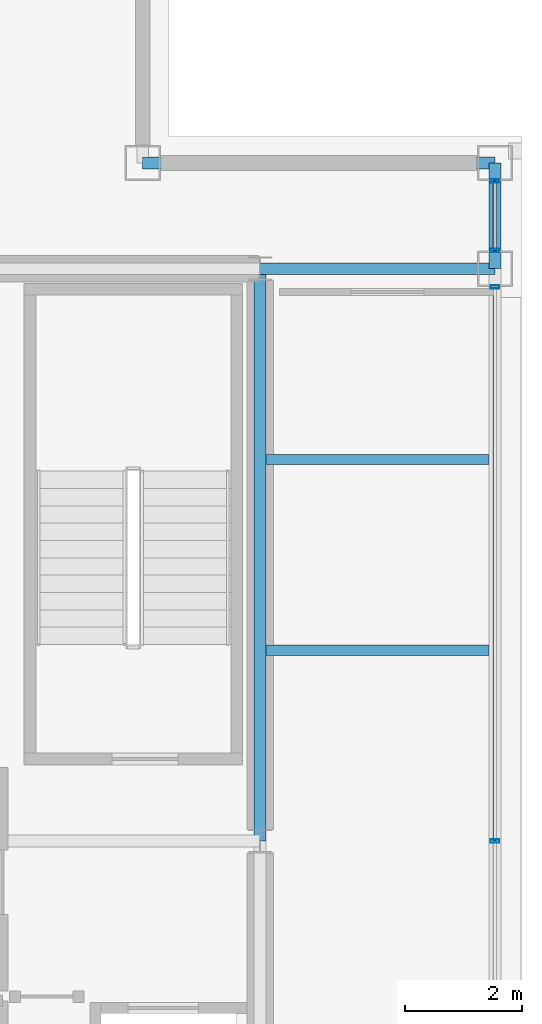
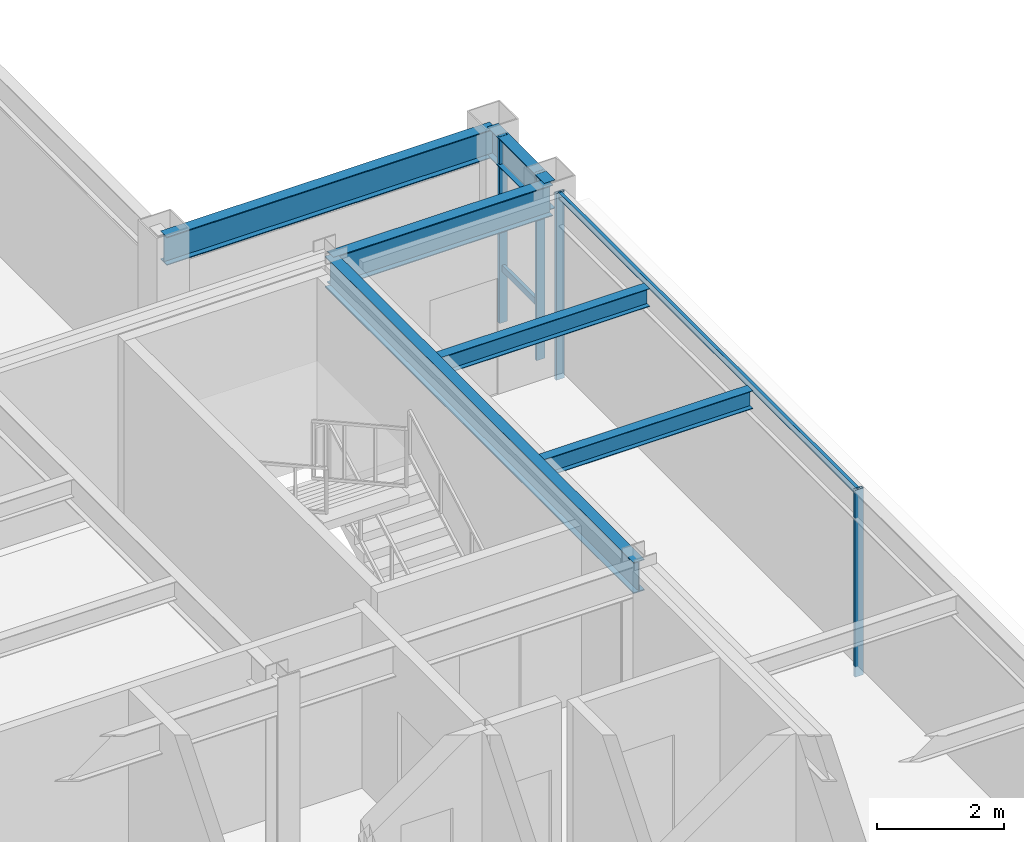
# One storey, part 15 of 24: 6 beams, 6 members, 2 elements without a shape of their own.
"""IFC4 building model written with IfcOpenShell, lengths in metres."""

from ifc_helpers import new_model, si_unit, direction, frame, origin, origin_2d, place, context, subcontext, project, spatial, hollow_rectangle, i_section, extrude, material, layer, layer_set, material_profile, profile_set, type_object, element, aggregate, save


model = new_model("IFC4")

# Units and contexts
model_context = context("Model", 3, precision=1e-05, world=origin(), true_north=direction((0.0, 1.0)))
body_context = subcontext(model_context, "Body", "Model", "MODEL_VIEW")
ifc_project = project(units=[si_unit("LENGTHUNIT", "METRE"), si_unit("AREAUNIT", "SQUARE_METRE"), si_unit("VOLUMEUNIT", "CUBIC_METRE"), si_unit("PLANEANGLEUNIT", "RADIAN"), si_unit("MASSUNIT", "GRAM", prefix="KILO")], contexts=[model_context])

# Site, building, storey
site_placement = place(None, origin())
site = spatial("IfcSite", under=ifc_project, at=site_placement, CompositionType="ELEMENT")
building_placement = place(site_placement, origin())
building = spatial("IfcBuilding", under=site, at=building_placement, Name="Brelmoor Portico Tower", CompositionType="ELEMENT")
storey_placement = place(building_placement, frame((0.0, 0.0, 261.60009765625)))
storey = spatial("IfcBuildingStorey", under=building, at=storey_placement, Name="L69", CompositionType="ELEMENT", Elevation=261.60009765625)

# Beams
ifc_material_1 = material(Name="Steel Q355B", Category="steel")
ifc_material_profile_1 = material_profile(ifc_material_1, i_section(OverallWidth=0.175048828125, OverallDepth=0.35009765625, WebThickness=0.007080078125, FlangeThickness=0.010986328125, at=origin_2d()), Name="HN 350x175x7x11")
ifc_profile_set_1 = profile_set([ifc_material_profile_1], Name="Steel Q355B")
beam_type_1 = type_object("IfcBeamType", Name="BM-JS-350", PredefinedType="JOIST", material=ifc_profile_set_1)
for number, where, z_axis, x_axis, name in (
    (1, (14.64990234375, 3.25, 3.224853515625), (1.0, 0.0, 0.0), (0.0, 1.0, 0.0), "L69 Secondary Wing Joist JS-E13"),
    (2, (14.64990234375, 6.5, 3.224853515625), (1.0, 0.0, 0.0), (0.0, 1.0, 0.0), "L69 Secondary Wing Joist JS-E14"),
):
    element("IfcBeam", number, at=place(storey_placement, frame(where, z_axis=z_axis, x_axis=x_axis)), inside=storey, type_object=beam_type_1, Name=name, PredefinedType="JOIST", context=body_context, shape_type="SweptSolid", body=[
        extrude(i_section(OverallWidth=0.175048828125, OverallDepth=0.35009765625, WebThickness=0.007080078125, FlangeThickness=0.010986328125, at=origin_2d()), origin(), (0.0, 0.0, 1.0), 3.800048828125),
    ])
ifc_material_profile_2 = material_profile(ifc_material_1, i_section(OverallWidth=0.199951171875, OverallDepth=0.60009765625, WebThickness=0.010986328125, FlangeThickness=0.01708984375, at=origin_2d()), Name="HN 600x200x11x17")
ifc_profile_set_2 = profile_set([ifc_material_profile_2], Name="Steel Q355B")
beam_type_2 = type_object("IfcBeamType", Name="BM-PG-600", PredefinedType="BEAM", material=ifc_profile_set_2)
beam_1_placement = place(storey_placement, frame((14.550048828125, 0.0, 3.099853515625), z_axis=(0.0, 1.0, 0.0), x_axis=(-1.0, 0.0, 0.0)))
element("IfcBeam", 3, at=beam_1_placement, inside=storey, type_object=beam_type_2, Name="L69 Primary Floor Girder PG-10", PredefinedType="BEAM", context=body_context, shape_type="SweptSolid", body=[
    extrude(i_section(OverallWidth=0.199951171875, OverallDepth=0.60009765625, WebThickness=0.010986328125, FlangeThickness=0.01708984375, at=origin_2d()), origin(), (0.0, 0.0, 1.0), 9.75),
])
beam_2_placement = place(storey_placement, frame((14.550048828125, 9.75, 3.099853515625), z_axis=(1.0, 0.0, 0.0), x_axis=(0.0, 1.0, 0.0)))
element("IfcBeam", 4, at=beam_2_placement, inside=storey, type_object=beam_type_2, Name="L69 Primary Floor Girder PG-23", PredefinedType="BEAM", context=body_context, shape_type="SweptSolid", body=[
    extrude(i_section(OverallWidth=0.199951171875, OverallDepth=0.60009765625, WebThickness=0.010986328125, FlangeThickness=0.01708984375, at=origin_2d()), origin(), (0.0, 0.0, 1.0), 4.0),
])
ifc_material_profile_3 = material_profile(ifc_material_1, i_section(OverallWidth=0.199951171875, OverallDepth=0.550048828125, WebThickness=0.010009765625, FlangeThickness=0.01611328125, at=origin_2d()), Name="HN 550x200x10x16")
ifc_profile_set_3 = profile_set([ifc_material_profile_3], Name="Steel Q355B")
beam_type_3 = type_object("IfcBeamType", Name="BM-SP-550", PredefinedType="SPANDREL", material=ifc_profile_set_3)
beam_3_placement = place(storey_placement, frame((12.550048828125, 11.550048828125, 3.125), z_axis=(1.0, 0.0, 0.0), x_axis=(0.0, 1.0, 0.0)))
element("IfcBeam", 5, at=beam_3_placement, inside=storey, type_object=beam_type_3, Name="L69 Perimeter Spandrel Beam SP-07", PredefinedType="SPANDREL", context=body_context, shape_type="SweptSolid", body=[
    extrude(i_section(OverallWidth=0.199951171875, OverallDepth=0.550048828125, WebThickness=0.010009765625, FlangeThickness=0.01611328125, at=origin_2d()), origin(), (0.0, 0.0, 1.0), 6.0),
])
beam_4_placement = place(storey_placement, frame((18.550048828125, 9.75, 3.125), z_axis=(0.0, 1.0, 0.0), x_axis=(-1.0, 0.0, 0.0)))
element("IfcBeam", 6, at=beam_4_placement, inside=storey, type_object=beam_type_3, Name="L69 Perimeter Spandrel Beam SP-20", PredefinedType="SPANDREL", context=body_context, shape_type="SweptSolid", body=[
    extrude(i_section(OverallWidth=0.199951171875, OverallDepth=0.550048828125, WebThickness=0.010009765625, FlangeThickness=0.01611328125, at=origin_2d()), origin(), (0.0, 0.0, 1.0), 1.800048828125),
])

# Curtain wall, members
ifc_material_2 = material(Name="Anodised Aluminium Alloy 6063-T6", Category="aluminium")
ifc_layer_1 = layer(ifc_material_2, 0.179931640625)
ifc_layer_set_1 = layer_set([ifc_layer_1], Name="Anodised Aluminium Alloy 6063-T6")
curtain_wall_type_1 = type_object("IfcCurtainWallType", Name="CW-TOWER-Z4-XB", PredefinedType="NOTDEFINED", material=ifc_layer_set_1)
curtain_wall_1_placement = place(storey_placement, origin())
curtain_wall_1 = element("IfcCurtainWall", 7, at=curtain_wall_1_placement, inside=storey, type_object=curtain_wall_type_1, Name="L69 Curtain Wall CW-L69-04-2", PredefinedType="NOTDEFINED")
ifc_material_profile_4 = material_profile(ifc_material_2, hollow_rectangle(XDim=0.06005859375, YDim=0.14990234375, WallThickness=0.00390625, at=origin_2d()), Name="ALU MULLION 60x150")
ifc_profile_set_4 = profile_set([ifc_material_profile_4], Name="Anodised Aluminium Alloy 6063-T6")
member_type_1 = type_object("IfcMemberType", Name="MB-CW-MULL-150", PredefinedType="MULLION", material=ifc_profile_set_4)
member_1_placement = place(storey_placement, frame((18.550048828125, 0.0, -0.2001953125), z_axis=(0.0, 0.0, 1.0), x_axis=(0.0, 1.0, 0.0)))
member_1 = element("IfcMember", 8, at=member_1_placement, type_object=member_type_1, Name="CW-L69-04-2 Mullion 01", PredefinedType="MULLION", context=body_context, shape_type="SweptSolid", body=[
    extrude(hollow_rectangle(XDim=0.06005859375, YDim=0.14990234375, WallThickness=0.00390625, at=origin_2d()), origin(), (0.0, 0.0, 1.0), 3.60009765625),
])
member_2_placement = place(storey_placement, frame((18.550048828125, 9.43994140625, -0.2001953125), z_axis=(0.0, 0.0, 1.0), x_axis=(0.0, 1.0, 0.0)))
member_2 = element("IfcMember", 9, at=member_2_placement, type_object=member_type_1, Name="CW-L69-04-2 Mullion 02", PredefinedType="MULLION", context=body_context, shape_type="SweptSolid", body=[
    extrude(hollow_rectangle(XDim=0.06005859375, YDim=0.14990234375, WallThickness=0.00390625, at=origin_2d()), origin(), (0.0, 0.0, 1.0), 3.60009765625),
])

ifc_layer_2 = layer(ifc_material_2, 0.179931640625)
ifc_layer_set_2 = layer_set([ifc_layer_2], Name="Anodised Aluminium Alloy 6063-T6")
curtain_wall_type_2 = type_object("IfcCurtainWallType", Name="CW-TOWER-Z4", PredefinedType="NOTDEFINED", material=ifc_layer_set_2)
curtain_wall_2_placement = place(storey_placement, origin())
curtain_wall_2 = element("IfcCurtainWall", 10, at=curtain_wall_2_placement, inside=storey, type_object=curtain_wall_type_2, Name="L69 Curtain Wall CW-L69-04-3", PredefinedType="NOTDEFINED")
member_3_placement = place(storey_placement, frame((18.550048828125, 10.06005859375, -0.2001953125), z_axis=(0.0, 0.0, 1.0), x_axis=(0.0, 1.0, 0.0)))
member_3 = element("IfcMember", 11, at=member_3_placement, type_object=member_type_1, Name="CW-L69-04-3 Mullion 00", PredefinedType="MULLION", context=body_context, shape_type="SweptSolid", body=[
    extrude(hollow_rectangle(XDim=0.06005859375, YDim=0.14990234375, WallThickness=0.00390625, at=origin_2d()), origin(), (0.0, 0.0, 1.0), 3.60009765625),
])
member_4_placement = place(storey_placement, frame((18.550048828125, 11.239990234375, -0.2001953125), z_axis=(0.0, 0.0, 1.0), x_axis=(0.0, 1.0, 0.0)))
member_4 = element("IfcMember", 12, at=member_4_placement, type_object=member_type_1, Name="CW-L69-04-3 Mullion 01", PredefinedType="MULLION", context=body_context, shape_type="SweptSolid", body=[
    extrude(hollow_rectangle(XDim=0.06005859375, YDim=0.14990234375, WallThickness=0.00390625, at=origin_2d()), origin(), (0.0, 0.0, 1.0), 3.60009765625),
])

# Member
ifc_material_profile_5 = material_profile(ifc_material_2, hollow_rectangle(XDim=0.06005859375, YDim=0.125, WallThickness=0.00341796875, at=origin_2d()), Name="ALU TRANSOM 60x125")
ifc_profile_set_5 = profile_set([ifc_material_profile_5], Name="Anodised Aluminium Alloy 6063-T6")
member_type_2 = type_object("IfcMemberType", Name="MB-CW-TRAN-125", PredefinedType="USERDEFINED", material=ifc_profile_set_5)
member_5_placement = place(storey_placement, frame((18.550048828125, 0.0, 3.33740234375), z_axis=(0.0, 1.0, 0.0), x_axis=(-1.0, 0.0, 0.0)))
member_5 = element("IfcMember", 13, at=member_5_placement, type_object=member_type_2, Name="CW-L69-04-2 Transom 1-01", ObjectType="TRANSOM", PredefinedType="USERDEFINED", context=body_context, shape_type="SweptSolid", body=[
    extrude(hollow_rectangle(XDim=0.06005859375, YDim=0.125, WallThickness=0.00341796875, at=origin_2d()), origin(), (0.0, 0.0, 1.0), 9.43994140625),
])

aggregate(curtain_wall_1, [member_1, member_2, member_5])

member_6_placement = place(storey_placement, frame((18.550048828125, 10.06005859375, 0.849853515625), z_axis=(0.0, 1.0, 0.0), x_axis=(-1.0, 0.0, 0.0)))
member_6 = element("IfcMember", 14, at=member_6_placement, type_object=member_type_2, Name="CW-L69-04-3 Transom 1-00", ObjectType="TRANSOM", PredefinedType="USERDEFINED", context=body_context, shape_type="SweptSolid", body=[
    extrude(hollow_rectangle(XDim=0.06005859375, YDim=0.125, WallThickness=0.00341796875, at=origin_2d()), origin(), (0.0, 0.0, 1.0), 1.179931640625),
])

aggregate(curtain_wall_2, [member_3, member_4, member_6])

save(model, "model.ifc")
